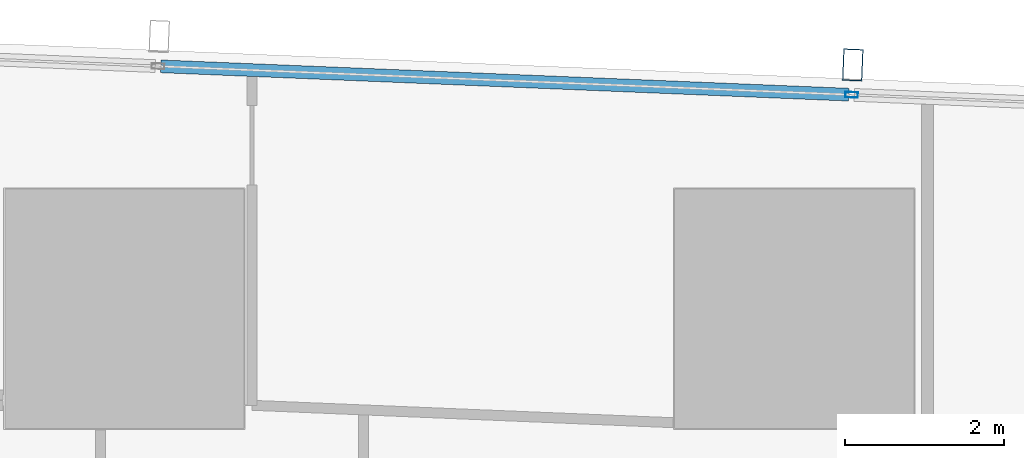
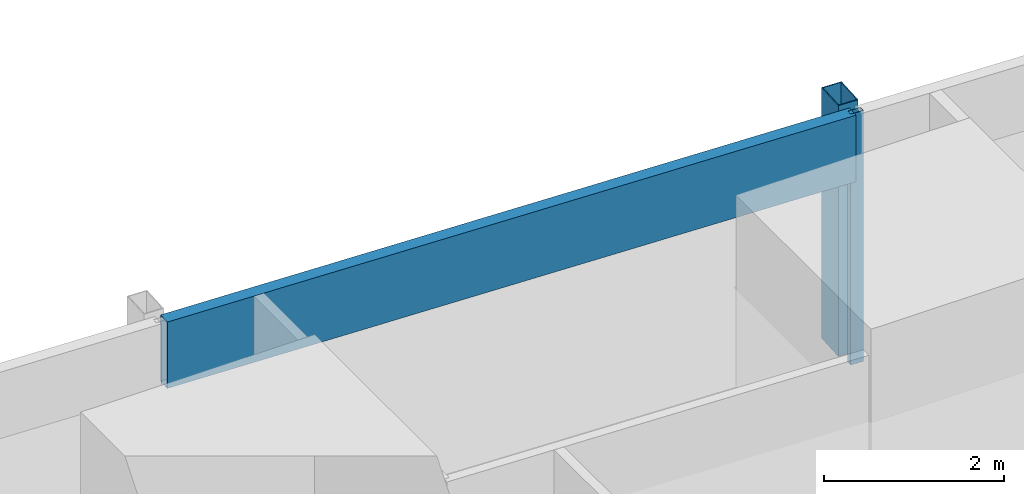
# One storey, part 21 of 44: 3 members, 1 element without a shape of its own.
"""IFC4 building model written with IfcOpenShell, lengths in metres."""

import ifcopenshell
import ifcopenshell.guid

model = None  # the IFC model being written
_history = None  # IfcOwnerHistory: only IFC2X3 demands one
_inside = {}  # id of a spatial element -> (the spatial element, [elements in it])
_under = {}  # id of a project, library or spatial element -> (it, [spatial elements below it])
_declared = {}  # id of a project -> (the project, [libraries it declares])
_typed = {}  # id of a type object -> (the type object, [elements of that type])
_made_of = {}  # id of a material, layer set ... -> (it, [elements and type objects made of it])


def new_model(schema):
    """Start an empty IFC model of exactly this schema.

    Asked for "IFC4X3", IfcOpenShell would pick the latest addendum, in which some entities
    have other attributes; the version numbers below select the first issue.
    IFC2X3 requires an IfcOwnerHistory on every rooted entity: one is made here for all.
    """
    global model, _history
    if schema == "IFC4X3":
        model = ifcopenshell.file(schema_version=(4, 3, 0, 0))
    else:
        model = ifcopenshell.file(schema=schema)
    _inside.clear()
    _under.clear()
    _declared.clear()
    _typed.clear()
    _made_of.clear()
    _history = None
    if model.schema == "IFC2X3":
        org = make("IfcOrganization", Name="unknown")
        user = make(
            "IfcPersonAndOrganization",
            ThePerson=make("IfcPerson", FamilyName="unknown"),
            TheOrganization=org,
        )
        app = make(
            "IfcApplication",
            ApplicationDeveloper=org,
            Version="unknown",
            ApplicationFullName="unknown",
            ApplicationIdentifier="unknown",
        )
        _history = make(
            "IfcOwnerHistory",
            OwningUser=user,
            OwningApplication=app,
            ChangeAction="ADDED",
            CreationDate=0,
        )
    return model


def make(cls, **values):
    """One entity of the class cls with the attributes given. An attribute that is None is left unset."""
    return model.create_entity(
        cls, **{name: value for name, value in values.items() if value is not None}
    )


def rooted(cls, **values):
    """An entity with a GlobalId (a new one), such as an element, a storey or a relation."""
    return make(cls, GlobalId=ifcopenshell.guid.new(), OwnerHistory=_history, **values)


def si_unit(unit_type, name, prefix=None):
    """IfcSIUnit, for example si_unit("LENGTHUNIT", "METRE", prefix="MILLI")."""
    return make("IfcSIUnit", UnitType=unit_type, Prefix=prefix, Name=name)


def assignment(units):
    """IfcUnitAssignment: the units of a project."""
    return None if units is None else make("IfcUnitAssignment", Units=units)


def point(xyz):
    """IfcCartesianPoint."""
    return None if xyz is None else make("IfcCartesianPoint", Coordinates=xyz)


def direction(xyz):
    """IfcDirection."""
    return None if xyz is None else make("IfcDirection", DirectionRatios=xyz)


def frame(location, z_axis=None, x_axis=None):
    """IfcAxis2Placement3D, a coordinate frame: its origin and axes. An axis left out is left unset."""
    return make(
        "IfcAxis2Placement3D",
        Location=point(location),
        Axis=direction(z_axis),
        RefDirection=direction(x_axis),
    )


def frame_2d(location, x_axis=None):
    """IfcAxis2Placement2D, a coordinate frame in the plane: its origin and x axis."""
    return make(
        "IfcAxis2Placement2D", Location=point(location), RefDirection=direction(x_axis)
    )


def origin():
    """The frame at (0, 0, 0) with its axes left unset."""
    return frame((0.0, 0.0, 0.0))


def origin_2d():
    """The frame at (0, 0) in the plane with its x axis left unset."""
    return frame_2d((0.0, 0.0))


def place(relative_to, where):
    """IfcLocalPlacement: puts the frame where relative to a parent placement (None: the world)."""
    return make(
        "IfcLocalPlacement", PlacementRelTo=relative_to, RelativePlacement=where
    )


def context(
    kind, dimensions, precision=None, world=None, true_north=None, identifier=None
):
    """IfcGeometricRepresentationContext, for example the 3D "Model" context."""
    return make(
        "IfcGeometricRepresentationContext",
        ContextIdentifier=identifier,
        ContextType=kind,
        CoordinateSpaceDimension=dimensions,
        Precision=precision,
        WorldCoordinateSystem=world,
        TrueNorth=true_north,
    )


def subcontext(parent, identifier, kind, view, scale=None):
    """IfcGeometricRepresentationSubContext, for example "Body" below "Model"."""
    return make(
        "IfcGeometricRepresentationSubContext",
        ContextIdentifier=identifier,
        ContextType=kind,
        ParentContext=parent,
        TargetScale=scale,
        TargetView=view,
    )


def project(units=None, contexts=None):
    """IfcProject with its units and contexts."""
    return rooted(
        "IfcProject",
        Name="project",
        RepresentationContexts=contexts,
        UnitsInContext=assignment(units),
    )


def spatial(cls, under=None, at=None, **own):
    """A site, building, storey or space (cls), placed at a placement, below another one or the project."""
    s = rooted(cls, ObjectPlacement=at, **own)
    if under is not None:
        _under.setdefault(under.id(), (under, []))[1].append(s)
    return s


def profile(cls, at=None, kind="AREA", **sizes):
    """A parametric profile (cls). Its sizes go by their IFC names, for example OverallWidth=200.0."""
    return make(cls, ProfileType=kind, Position=at, **sizes)


def hollow_rectangle(**sizes):
    """IfcRectangleHollowProfileDef."""
    return profile("IfcRectangleHollowProfileDef", **sizes)


def extrude(swept, where, along, depth):
    """IfcExtrudedAreaSolid: the profile swept, set in the frame where, extruded along a direction by depth."""
    return make(
        "IfcExtrudedAreaSolid",
        SweptArea=swept,
        Position=where,
        ExtrudedDirection=direction(along),
        Depth=depth,
    )


def shape(context_of_items, identifier, shape_type, items):
    """IfcShapeRepresentation: the items that make up one representation, for example the "Body"."""
    return make(
        "IfcShapeRepresentation",
        ContextOfItems=context_of_items,
        RepresentationIdentifier=identifier,
        RepresentationType=shape_type,
        Items=items,
    )


def material(Name=None, Category=None):
    """IfcMaterial."""
    return make("IfcMaterial", Name=Name, Category=Category)


def material_profile(
    of_material, cross_section, Name=None, Category=None, Priority=None
):
    """IfcMaterialProfile: a cross section and its material."""
    return make(
        "IfcMaterialProfile",
        Name=Name,
        Material=of_material,
        Profile=cross_section,
        Priority=Priority,
        Category=Category,
    )


def profile_set(profiles, Name=None, composite=None):
    """IfcMaterialProfileSet."""
    return make(
        "IfcMaterialProfileSet",
        Name=Name,
        MaterialProfiles=profiles,
        CompositeProfile=composite,
    )


def made_of(thing, what):
    """Note that an element or type object is made of a material, layer set ...; save() writes the relation."""
    if what is not None:
        _made_of.setdefault(what.id(), (what, []))[1].append(thing)
    return thing


def type_object(cls, material=None, **own):
    """A type object (cls), such as IfcWallType, which elements share."""
    return made_of(rooted(cls, **own), material)


def element(
    cls,
    number,
    at=None,
    inside=None,
    cuts=None,
    type_object=None,
    material=None,
    context=None,
    identifier="Body",
    shape_type=None,
    held_by="IfcProductDefinitionShape",
    body=None,
    shapes=None,
    **own,
):
    """One element of the class cls, such as IfcWall. Its Tag is "e" and its number.

    at: its placement. inside: the storey or other place that contains it. cuts: it is an
    opening in that element (IfcRelVoidsElement). A single representation is given by context,
    identifier, shape_type and body (its items); several are given by shapes. held_by: the class
    of the entity that holds the representations. save() writes the other relations.
    """
    e = rooted(cls, Tag="e%d" % number, ObjectPlacement=at, **own)
    if body is not None:
        shapes = [shape(context, identifier, shape_type, body)]
    if shapes is not None:
        e.Representation = make(held_by, Representations=shapes)
    if inside is not None:
        _inside.setdefault(inside.id(), (inside, []))[1].append(e)
    if cuts is not None:
        rooted(
            "IfcRelVoidsElement", RelatingBuildingElement=cuts, RelatedOpeningElement=e
        )
    if type_object is not None:
        _typed.setdefault(type_object.id(), (type_object, []))[1].append(e)
    return made_of(e, material)


def aggregate(whole, parts):
    """IfcRelAggregates: a whole, such as a stair, and the parts it consists of."""
    return rooted("IfcRelAggregates", RelatingObject=whole, RelatedObjects=parts)


def save(model, path):
    """Write the relations noted so far, then the file.

    IfcRelAggregates (storeys below a building ...), IfcRelContainedInSpatialStructure (elements
    in a storey), IfcRelDefinesByType, IfcRelAssociatesMaterial and IfcRelDeclares: one each for
    every whole, place, type object, material and project.
    """
    for whole, parts in _under.values():
        aggregate(whole, parts)
    for where, things in _inside.values():
        rooted(
            "IfcRelContainedInSpatialStructure",
            RelatedElements=things,
            RelatingStructure=where,
        )
    for kind, things in _typed.values():
        rooted("IfcRelDefinesByType", RelatedObjects=things, RelatingType=kind)
    for what, things in _made_of.values():
        rooted("IfcRelAssociatesMaterial", RelatedObjects=things, RelatingMaterial=what)
    for by, libraries in _declared.values():
        rooted("IfcRelDeclares", RelatingContext=by, RelatedDefinitions=libraries)
    model.write(path)


model = new_model("IFC4")

# Units and contexts
model_context = context("Model", 3, precision=1e-05, world=origin(), true_north=direction((0.0, 1.0)))
body_context = subcontext(model_context, "Body", "Model", "MODEL_VIEW")
ifc_project = project(units=[si_unit("LENGTHUNIT", "METRE"), si_unit("AREAUNIT", "SQUARE_METRE"), si_unit("VOLUMEUNIT", "CUBIC_METRE"), si_unit("PLANEANGLEUNIT", "RADIAN"), si_unit("MASSUNIT", "GRAM", prefix="KILO")], contexts=[model_context])

# Site, building, storey
site_placement = place(None, origin())
site = spatial("IfcSite", under=ifc_project, at=site_placement, CompositionType="ELEMENT")
building_placement = place(site_placement, origin())
building = spatial("IfcBuilding", under=site, at=building_placement, Name="Rekha Terrace Tower", CompositionType="ELEMENT")
storey_placement = place(building_placement, frame((0.0, 0.0, 81.64990234375)))
storey = spatial("IfcBuildingStorey", under=building, at=storey_placement, Name="L20", CompositionType="ELEMENT", Elevation=81.64990234375)

# Curtain wall, members
ifc_material_1 = material(Name="Aluminium framing", Category="aluminium")
curtain_wall_type = type_object("IfcCurtainWallType", Name="CW3 north unitised glazing", PredefinedType="USERDEFINED", material=ifc_material_1)
curtain_wall_placement = place(storey_placement, origin())
curtain_wall = element("IfcCurtainWall", 1, at=curtain_wall_placement, inside=storey, type_object=curtain_wall_type, Name="CW3 unitised curtain wall", ObjectType="UNITISED CURTAIN WALL", PredefinedType="USERDEFINED")
ifc_material_2 = material(Name="Steel S355 with fluorocarbon finish", Category="steel")
ifc_material_profile_1 = material_profile(ifc_material_2, hollow_rectangle(XDim=0.25, YDim=0.39990234375, WallThickness=0.012451171875, at=origin_2d()), Name="RHS400x250x12.5")
ifc_profile_set_1 = profile_set([ifc_material_profile_1], Name="Steel S355 with fluorocarbon finish")
member_type_1 = type_object("IfcMemberType", Name="BL1 facade blade RHS 400 x 250", PredefinedType="USERDEFINED", material=ifc_profile_set_1)
member_1_placement = place(storey_placement, frame((42.73388671875, 61.857421875, 0.0), z_axis=(0.0, 0.0, 1.0), x_axis=(-0.99915196507, 0.041174636562, 0.0)))
member_1 = element("IfcMember", 2, at=member_1_placement, type_object=member_type_1, Name="Facade blade", ObjectType="FACADE BLADE", PredefinedType="USERDEFINED", context=body_context, shape_type="SweptSolid", body=[
    extrude(hollow_rectangle(XDim=0.25, YDim=0.39990234375, WallThickness=0.012451171875, at=origin_2d()), origin(), (0.0, 0.0, 1.0), 3.400146484375),
])
ifc_material_3 = material(Name="Aluminium mullion section", Category="aluminium")
ifc_material_profile_2 = material_profile(ifc_material_3, hollow_rectangle(XDim=0.070068359375, YDim=0.159912109375, WallThickness=0.00390625, at=origin_2d()), Name="AL RHS 70x160")
ifc_profile_set_2 = profile_set([ifc_material_profile_2], Name="Aluminium mullion section")
member_type_2 = type_object("IfcMemberType", Name="CW3 mullion RHS 70 x 160", PredefinedType="MULLION", material=ifc_profile_set_2)
member_2_placement = place(storey_placement, frame((42.718505859375, 61.48291015625, 0.0), z_axis=(0.0, 0.0, 1.0), x_axis=(-0.041173846041, -0.999151997647, 0.0)))
member_2 = element("IfcMember", 3, at=member_2_placement, type_object=member_type_2, Name="CW3 mullion 4", PredefinedType="MULLION", context=body_context, shape_type="SweptSolid", body=[
    extrude(hollow_rectangle(XDim=0.070068359375, YDim=0.159912109375, WallThickness=0.00390625, at=origin_2d()), origin(), (0.0, 0.0, 1.0), 3.400146484375),
])
ifc_material_4 = material(Name="Insulated aluminium spandrel box", Category="aluminium")
ifc_material_profile_3 = material_profile(ifc_material_4, hollow_rectangle(XDim=0.159912109375, YDim=0.89990234375, WallThickness=0.0029296875, at=origin_2d()), Name="AL SPANDREL BOX 160x900")
ifc_profile_set_3 = profile_set([ifc_material_profile_3], Name="Insulated aluminium spandrel box")
member_type_3 = type_object("IfcMemberType", Name="CW3 spandrel transom 160 x 900", PredefinedType="USERDEFINED", material=ifc_profile_set_3)
member_3_placement = place(storey_placement, frame((42.68359375, 61.484375, 2.9501953125), z_axis=(-0.999152128669, 0.041170666459, 0.0), x_axis=(-0.041170666459, -0.999152128669, 0.0)))
member_3 = element("IfcMember", 4, at=member_3_placement, type_object=member_type_3, Name="CW3 spandrel transom 4", ObjectType="TRANSOM", PredefinedType="USERDEFINED", context=body_context, shape_type="SweptSolid", body=[
    extrude(hollow_rectangle(XDim=0.159912109375, YDim=0.89990234375, WallThickness=0.0029296875, at=origin_2d()), origin(), (0.0, 0.0, 1.0), 8.634033203125),
])
aggregate(curtain_wall, [member_2, member_3, member_1])

save(model, "model.ifc")
